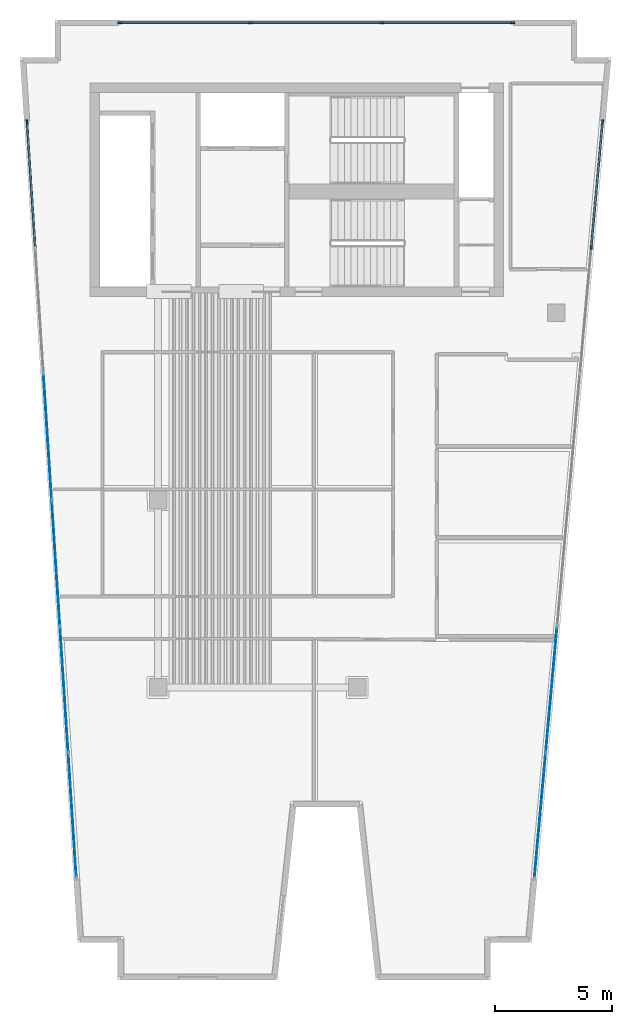
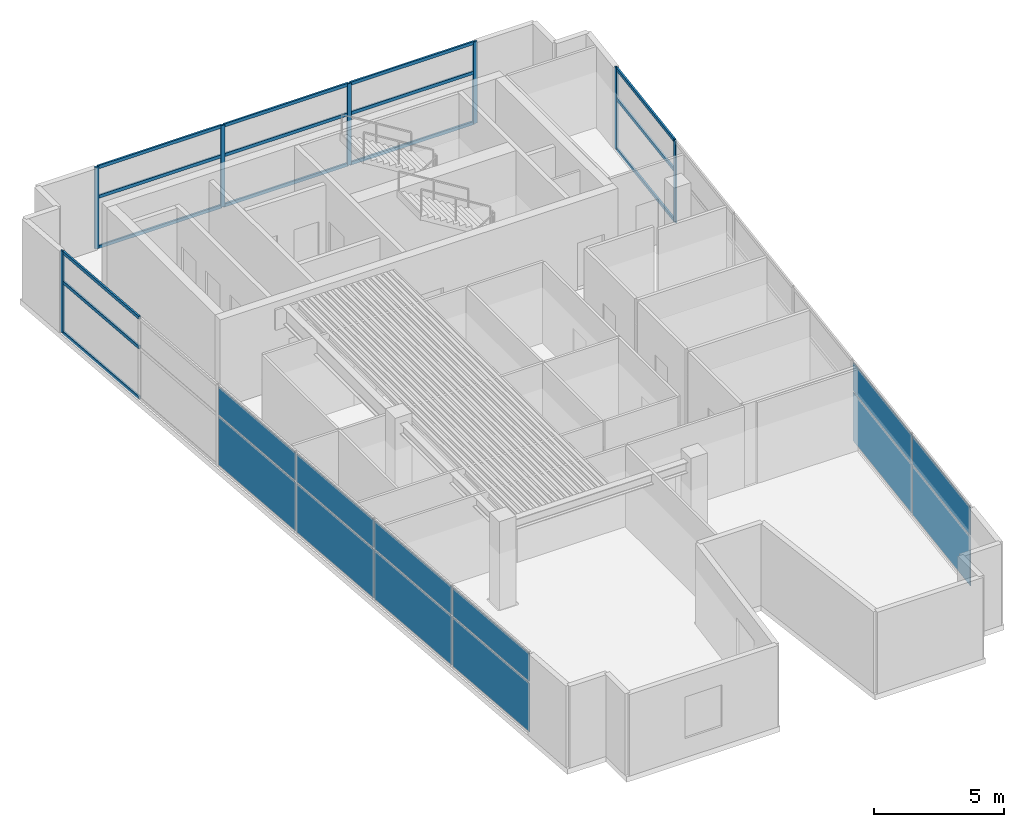
# One storey, part 2 of 7: 22 members, 12 plates, 3 elements without a shape of their own.
"""IFC4 building model written with IfcOpenShell, lengths in metres."""

from ifc_helpers import new_model, si_unit, direction, frame, origin, origin_2d, place, context, subcontext, project, spatial, rectangle, extrude, material, layer, layer_set, material_profile, profile_set, type_object, element, aggregate, save


model = new_model("IFC4")

# Units and contexts
model_context = context("Model", 3, precision=1e-05, world=origin(), true_north=direction((0.0, 1.0)))
body_context = subcontext(model_context, "Body", "Model", "MODEL_VIEW")
ifc_project = project(units=[si_unit("LENGTHUNIT", "METRE"), si_unit("AREAUNIT", "SQUARE_METRE"), si_unit("VOLUMEUNIT", "CUBIC_METRE"), si_unit("PLANEANGLEUNIT", "RADIAN"), si_unit("MASSUNIT", "GRAM", prefix="KILO")], contexts=[model_context])

# Site, building, storey
site_placement = place(None, origin())
site = spatial("IfcSite", under=ifc_project, at=site_placement, CompositionType="ELEMENT")
building_placement = place(site_placement, origin())
building = spatial("IfcBuilding", under=site, at=building_placement, Name="Caeloran Harvest Quay", CompositionType="ELEMENT")
storey_placement = place(building_placement, frame((0.0, 0.0, 319.89990234375)))
storey = spatial("IfcBuildingStorey", under=building, at=storey_placement, Name="L77", CompositionType="ELEMENT", Elevation=319.89990234375)

# Curtain wall, member
ifc_material_1 = material(Name="Aluminium 6063-T6 and Low-E Glazing", Category="aluminium")
ifc_layer_1 = layer(ifc_material_1, 0.239990234375, Name="Aluminium 6063-T6 and Low-E Glazing")
ifc_layer_set_1 = layer_set([ifc_layer_1], Name="Aluminium 6063-T6 and Low-E Glazing")
curtain_wall_type = type_object("IfcCurtainWallType", Name="CW-SYS-CW-7", PredefinedType="USERDEFINED", material=ifc_layer_set_1)
curtain_wall_1_placement = place(storey_placement, origin())
curtain_wall_1 = element("IfcCurtainWall", 1, at=curtain_wall_1_placement, inside=storey, type_object=curtain_wall_type, Name="L77 Unitised Curtain Wall CW-7 Run 3", ObjectType="CURTAIN_WALL", PredefinedType="USERDEFINED")
ifc_material_2 = material(Name="Aluminium 6063-T6", Category="aluminium")
ifc_material_profile_1 = material_profile(ifc_material_2, rectangle(XDim=0.080078125, YDim=0.179931640625, at=origin_2d()), Name="CW-MULLION-180")
ifc_profile_set_1 = profile_set([ifc_material_profile_1], Name="Aluminium 6063-T6")
member_type_1 = type_object("IfcMemberType", Name="CW-MULLION-180", PredefinedType="MULLION", material=ifc_profile_set_1)
member_1_placement = place(storey_placement, frame((2.904541015625, 39.1455078125, 0.0), z_axis=(0.0, 0.0, 1.0), x_axis=(-0.997874401106, -0.065166552901, 0.0)))
member_1 = element("IfcMember", 2, at=member_1_placement, type_object=member_type_1, Name="CW-7 mullion 7", PredefinedType="MULLION", context=body_context, shape_type="SweptSolid", body=[
    extrude(rectangle(XDim=0.080078125, YDim=0.179931640625, at=origin_2d()), origin(), (0.0, 0.0, 1.0), 3.830078125),
])

# Curtain wall, members
curtain_wall_2_placement = place(storey_placement, origin())
curtain_wall_2 = element("IfcCurtainWall", 3, at=curtain_wall_2_placement, inside=storey, type_object=curtain_wall_type, Name="L77 Unitised Curtain Wall CW-7 Run 6", ObjectType="CURTAIN_WALL", PredefinedType="USERDEFINED")
member_2_placement = place(storey_placement, frame((6.860107421875, 43.3798828125, 0.0), z_axis=(0.0, 0.0, 1.0), x_axis=(0.0, 1.0, 0.0)))
member_2 = element("IfcMember", 4, at=member_2_placement, type_object=member_type_1, Name="CW-7 mullion 1", PredefinedType="MULLION", context=body_context, shape_type="SweptSolid", body=[
    extrude(rectangle(XDim=0.080078125, YDim=0.179931640625, at=origin_2d()), origin(), (0.0, 0.0, 1.0), 3.830078125),
])
member_3_placement = place(storey_placement, frame((12.43994140625, 43.3798828125, 0.0), z_axis=(0.0, 0.0, 1.0), x_axis=(0.0, 1.0, 0.0)))
member_3 = element("IfcMember", 5, at=member_3_placement, type_object=member_type_1, Name="CW-7 mullion 2", PredefinedType="MULLION", context=body_context, shape_type="SweptSolid", body=[
    extrude(rectangle(XDim=0.080078125, YDim=0.179931640625, at=origin_2d()), origin(), (0.0, 0.0, 1.0), 3.830078125),
])
member_4_placement = place(storey_placement, frame((18.06005859375, 43.3798828125, 0.0), z_axis=(0.0, 0.0, 1.0), x_axis=(0.0, 1.0, 0.0)))
member_4 = element("IfcMember", 6, at=member_4_placement, type_object=member_type_1, Name="CW-7 mullion 3", PredefinedType="MULLION", context=body_context, shape_type="SweptSolid", body=[
    extrude(rectangle(XDim=0.080078125, YDim=0.179931640625, at=origin_2d()), origin(), (0.0, 0.0, 1.0), 3.830078125),
])
member_5_placement = place(storey_placement, frame((23.639892578125, 43.3798828125, 0.0), z_axis=(0.0, 0.0, 1.0), x_axis=(0.0, 1.0, 0.0)))
member_5 = element("IfcMember", 7, at=member_5_placement, type_object=member_type_1, Name="CW-7 mullion 4", PredefinedType="MULLION", context=body_context, shape_type="SweptSolid", body=[
    extrude(rectangle(XDim=0.080078125, YDim=0.179931640625, at=origin_2d()), origin(), (0.0, 0.0, 1.0), 3.830078125),
])

curtain_wall_3_placement = place(storey_placement, origin())
curtain_wall_3 = element("IfcCurtainWall", 8, at=curtain_wall_3_placement, inside=storey, type_object=curtain_wall_type, Name="L77 Unitised Curtain Wall CW-7 Run 9", ObjectType="CURTAIN_WALL", PredefinedType="USERDEFINED")
member_6_placement = place(storey_placement, frame((27.4873046875, 39.150634765625, 0.0), z_axis=(0.0, 0.0, 1.0), x_axis=(0.995957918918, -0.089821065146, 0.0)))
member_6 = element("IfcMember", 9, at=member_6_placement, type_object=member_type_1, Name="CW-7 mullion 1", PredefinedType="MULLION", context=body_context, shape_type="SweptSolid", body=[
    extrude(rectangle(XDim=0.080078125, YDim=0.179931640625, at=origin_2d()), origin(), (0.0, 0.0, 1.0), 3.830078125),
])
member_7_placement = place(storey_placement, frame((27.004150390625, 33.793701171875, 0.0), z_axis=(0.0, 0.0, 1.0), x_axis=(0.995957918918, -0.089821065146, 0.0)))
member_7 = element("IfcMember", 10, at=member_7_placement, type_object=member_type_1, Name="CW-7 mullion 2", PredefinedType="MULLION", context=body_context, shape_type="SweptSolid", body=[
    extrude(rectangle(XDim=0.080078125, YDim=0.179931640625, at=origin_2d()), origin(), (0.0, 0.0, 1.0), 3.830078125),
])

# Member
ifc_material_profile_2 = material_profile(ifc_material_2, rectangle(XDim=0.080078125, YDim=0.14990234375, at=origin_2d()), Name="CW-TRANSOM-150")
ifc_profile_set_2 = profile_set([ifc_material_profile_2], Name="Aluminium 6063-T6")
member_type_2 = type_object("IfcMemberType", Name="CW-TRANSOM-150", PredefinedType="USERDEFINED", material=ifc_profile_set_2)
member_8_placement = place(storey_placement, frame((3.251708984375, 33.830322265625, 0.0400390625), z_axis=(-0.065161110765, 0.997874756492, 0.0), x_axis=(-0.997874756492, -0.065161110765, 0.0)))
member_8 = element("IfcMember", 11, at=member_8_placement, type_object=member_type_2, Name="CW-7 transom 6.1", ObjectType="TRANSOM", PredefinedType="USERDEFINED", context=body_context, shape_type="SweptSolid", body=[
    extrude(rectangle(XDim=0.080078125, YDim=0.14990234375, at=origin_2d()), origin(), (0.0, 0.0, 1.0), 5.28662109375),
])

member_9_placement = place(storey_placement, frame((3.251708984375, 33.830322265625, 2.400146484375), z_axis=(-0.065161110765, 0.997874756492, 0.0), x_axis=(-0.997874756492, -0.065161110765, 0.0)))
member_9 = element("IfcMember", 12, at=member_9_placement, type_object=member_type_2, Name="CW-7 transom 6.2", ObjectType="TRANSOM", PredefinedType="USERDEFINED", context=body_context, shape_type="SweptSolid", body=[
    extrude(rectangle(XDim=0.080078125, YDim=0.14990234375, at=origin_2d()), origin(), (0.0, 0.0, 1.0), 5.28662109375),
])

member_10_placement = place(storey_placement, frame((3.251708984375, 33.830322265625, 3.7900390625), z_axis=(-0.065161110765, 0.997874756492, 0.0), x_axis=(-0.997874756492, -0.065161110765, 0.0)))
member_10 = element("IfcMember", 13, at=member_10_placement, type_object=member_type_2, Name="CW-7 transom 6.3", ObjectType="TRANSOM", PredefinedType="USERDEFINED", context=body_context, shape_type="SweptSolid", body=[
    extrude(rectangle(XDim=0.080078125, YDim=0.14990234375, at=origin_2d()), origin(), (0.0, 0.0, 1.0), 5.28662109375),
])

member_11_placement = place(storey_placement, frame((6.89990234375, 43.3798828125, 0.0400390625), z_axis=(1.0, 0.0, 0.0), x_axis=(0.0, 1.0, 0.0)))
member_11 = element("IfcMember", 14, at=member_11_placement, type_object=member_type_2, Name="CW-7 transom 1.1", ObjectType="TRANSOM", PredefinedType="USERDEFINED", context=body_context, shape_type="SweptSolid", body=[
    extrude(rectangle(XDim=0.080078125, YDim=0.14990234375, at=origin_2d()), origin(), (0.0, 0.0, 1.0), 5.5),
])

member_12_placement = place(storey_placement, frame((6.89990234375, 43.3798828125, 2.400146484375), z_axis=(1.0, 0.0, 0.0), x_axis=(0.0, 1.0, 0.0)))
member_12 = element("IfcMember", 15, at=member_12_placement, type_object=member_type_2, Name="CW-7 transom 1.2", ObjectType="TRANSOM", PredefinedType="USERDEFINED", context=body_context, shape_type="SweptSolid", body=[
    extrude(rectangle(XDim=0.080078125, YDim=0.14990234375, at=origin_2d()), origin(), (0.0, 0.0, 1.0), 5.5),
])

member_13_placement = place(storey_placement, frame((6.89990234375, 43.3798828125, 3.7900390625), z_axis=(1.0, 0.0, 0.0), x_axis=(0.0, 1.0, 0.0)))
member_13 = element("IfcMember", 16, at=member_13_placement, type_object=member_type_2, Name="CW-7 transom 1.3", ObjectType="TRANSOM", PredefinedType="USERDEFINED", context=body_context, shape_type="SweptSolid", body=[
    extrude(rectangle(XDim=0.080078125, YDim=0.14990234375, at=origin_2d()), origin(), (0.0, 0.0, 1.0), 5.5),
])

member_14_placement = place(storey_placement, frame((12.47998046875, 43.3798828125, 0.0400390625), z_axis=(1.0, 0.0, 0.0), x_axis=(0.0, 1.0, 0.0)))
member_14 = element("IfcMember", 17, at=member_14_placement, type_object=member_type_2, Name="CW-7 transom 2.1", ObjectType="TRANSOM", PredefinedType="USERDEFINED", context=body_context, shape_type="SweptSolid", body=[
    extrude(rectangle(XDim=0.080078125, YDim=0.14990234375, at=origin_2d()), origin(), (0.0, 0.0, 1.0), 5.5400390625),
])

member_15_placement = place(storey_placement, frame((12.47998046875, 43.3798828125, 2.400146484375), z_axis=(1.0, 0.0, 0.0), x_axis=(0.0, 1.0, 0.0)))
member_15 = element("IfcMember", 18, at=member_15_placement, type_object=member_type_2, Name="CW-7 transom 2.2", ObjectType="TRANSOM", PredefinedType="USERDEFINED", context=body_context, shape_type="SweptSolid", body=[
    extrude(rectangle(XDim=0.080078125, YDim=0.14990234375, at=origin_2d()), origin(), (0.0, 0.0, 1.0), 5.5400390625),
])

member_16_placement = place(storey_placement, frame((12.47998046875, 43.3798828125, 3.7900390625), z_axis=(1.0, 0.0, 0.0), x_axis=(0.0, 1.0, 0.0)))
member_16 = element("IfcMember", 19, at=member_16_placement, type_object=member_type_2, Name="CW-7 transom 2.3", ObjectType="TRANSOM", PredefinedType="USERDEFINED", context=body_context, shape_type="SweptSolid", body=[
    extrude(rectangle(XDim=0.080078125, YDim=0.14990234375, at=origin_2d()), origin(), (0.0, 0.0, 1.0), 5.5400390625),
])

member_17_placement = place(storey_placement, frame((18.10009765625, 43.3798828125, 0.0400390625), z_axis=(1.0, 0.0, 0.0), x_axis=(0.0, 1.0, 0.0)))
member_17 = element("IfcMember", 20, at=member_17_placement, type_object=member_type_2, Name="CW-7 transom 3.1", ObjectType="TRANSOM", PredefinedType="USERDEFINED", context=body_context, shape_type="SweptSolid", body=[
    extrude(rectangle(XDim=0.080078125, YDim=0.14990234375, at=origin_2d()), origin(), (0.0, 0.0, 1.0), 5.5),
])

member_18_placement = place(storey_placement, frame((18.10009765625, 43.3798828125, 2.400146484375), z_axis=(1.0, 0.0, 0.0), x_axis=(0.0, 1.0, 0.0)))
member_18 = element("IfcMember", 21, at=member_18_placement, type_object=member_type_2, Name="CW-7 transom 3.2", ObjectType="TRANSOM", PredefinedType="USERDEFINED", context=body_context, shape_type="SweptSolid", body=[
    extrude(rectangle(XDim=0.080078125, YDim=0.14990234375, at=origin_2d()), origin(), (0.0, 0.0, 1.0), 5.5),
])

member_19_placement = place(storey_placement, frame((18.10009765625, 43.3798828125, 3.7900390625), z_axis=(1.0, 0.0, 0.0), x_axis=(0.0, 1.0, 0.0)))
member_19 = element("IfcMember", 22, at=member_19_placement, type_object=member_type_2, Name="CW-7 transom 3.3", ObjectType="TRANSOM", PredefinedType="USERDEFINED", context=body_context, shape_type="SweptSolid", body=[
    extrude(rectangle(XDim=0.080078125, YDim=0.14990234375, at=origin_2d()), origin(), (0.0, 0.0, 1.0), 5.5),
])

aggregate(curtain_wall_2, [member_2, member_3, member_4, member_5, member_11, member_12, member_13, member_14, member_15, member_16, member_17, member_18, member_19])

member_20_placement = place(storey_placement, frame((27.483642578125, 39.11083984375, 0.0400390625), z_axis=(-0.089800407778, -0.995959781699, 0.0), x_axis=(0.995959781699, -0.089800407778, 0.0)))
member_20 = element("IfcMember", 23, at=member_20_placement, type_object=member_type_2, Name="CW-7 transom 1.1", ObjectType="TRANSOM", PredefinedType="USERDEFINED", context=body_context, shape_type="SweptSolid", body=[
    extrude(rectangle(XDim=0.080078125, YDim=0.14990234375, at=origin_2d()), origin(), (0.0, 0.0, 1.0), 5.298828125),
])

member_21_placement = place(storey_placement, frame((27.483642578125, 39.11083984375, 2.400146484375), z_axis=(-0.089800407778, -0.995959781699, 0.0), x_axis=(0.995959781699, -0.089800407778, 0.0)))
member_21 = element("IfcMember", 24, at=member_21_placement, type_object=member_type_2, Name="CW-7 transom 1.2", ObjectType="TRANSOM", PredefinedType="USERDEFINED", context=body_context, shape_type="SweptSolid", body=[
    extrude(rectangle(XDim=0.080078125, YDim=0.14990234375, at=origin_2d()), origin(), (0.0, 0.0, 1.0), 5.298828125),
])

member_22_placement = place(storey_placement, frame((27.483642578125, 39.11083984375, 3.7900390625), z_axis=(-0.089800407778, -0.995959781699, 0.0), x_axis=(0.995959781699, -0.089800407778, 0.0)))
member_22 = element("IfcMember", 25, at=member_22_placement, type_object=member_type_2, Name="CW-7 transom 1.3", ObjectType="TRANSOM", PredefinedType="USERDEFINED", context=body_context, shape_type="SweptSolid", body=[
    extrude(rectangle(XDim=0.080078125, YDim=0.14990234375, at=origin_2d()), origin(), (0.0, 0.0, 1.0), 5.298828125),
])

# Plate
ifc_material_3 = material(Name="Low-E Double Glazed Vision Glass Unit", Category="glass")
ifc_layer_2 = layer(ifc_material_3, 0.035888671875, Name="Low-E Double Glazed Vision Glass Unit")
ifc_layer_set_2 = layer_set([ifc_layer_2], Name="Low-E Double Glazed Vision Glass Unit")
plate_type = type_object("IfcPlateType", Name="CW-VISION-PANEL", PredefinedType="CURTAIN_PANEL", material=ifc_layer_set_2)
plate_1_placement = place(storey_placement, frame((4.838623046875, 9.531982421875, 0.080078125), z_axis=(0.0, 0.0, 1.0), x_axis=(-0.065166552901, 0.997874401106, 0.0)))
plate_1 = element("IfcPlate", 26, at=plate_1_placement, type_object=plate_type, Name="CW-7 panel 1.1", PredefinedType="CURTAIN_PANEL", context=body_context, shape_type="SweptSolid", body=[
    extrude(rectangle(XDim=5.28662109375, YDim=0.035888671875, at=origin_2d()), origin(), (0.0, 0.0, 1.0), 2.280029296875),
])

plate_2_placement = place(storey_placement, frame((4.838623046875, 9.531982421875, 2.440185546875), z_axis=(0.0, 0.0, 1.0), x_axis=(-0.065166552901, 0.997874401106, 0.0)))
plate_2 = element("IfcPlate", 27, at=plate_2_placement, type_object=plate_type, Name="CW-7 panel 1.2", PredefinedType="CURTAIN_PANEL", context=body_context, shape_type="SweptSolid", body=[
    extrude(rectangle(XDim=5.28662109375, YDim=0.035888671875, at=origin_2d()), origin(), (0.0, 0.0, 1.0), 1.31005859375),
])

plate_3_placement = place(storey_placement, frame((4.487548828125, 14.9072265625, 0.080078125), z_axis=(0.0, 0.0, 1.0), x_axis=(-0.065166552901, 0.997874401106, 0.0)))
plate_3 = element("IfcPlate", 28, at=plate_3_placement, type_object=plate_type, Name="CW-7 panel 2.1", PredefinedType="CURTAIN_PANEL", context=body_context, shape_type="SweptSolid", body=[
    extrude(rectangle(XDim=5.32666015625, YDim=0.035888671875, at=origin_2d()), origin(), (0.0, 0.0, 1.0), 2.280029296875),
])

plate_4_placement = place(storey_placement, frame((4.487548828125, 14.9072265625, 2.440185546875), z_axis=(0.0, 0.0, 1.0), x_axis=(-0.065166552901, 0.997874401106, 0.0)))
plate_4 = element("IfcPlate", 29, at=plate_4_placement, type_object=plate_type, Name="CW-7 panel 2.2", PredefinedType="CURTAIN_PANEL", context=body_context, shape_type="SweptSolid", body=[
    extrude(rectangle(XDim=5.32666015625, YDim=0.035888671875, at=origin_2d()), origin(), (0.0, 0.0, 1.0), 1.31005859375),
])

plate_5_placement = place(storey_placement, frame((4.13525390625, 20.302490234375, 0.080078125), z_axis=(0.0, 0.0, 1.0), x_axis=(-0.065166552901, 0.997874401106, 0.0)))
plate_5 = element("IfcPlate", 30, at=plate_5_placement, type_object=plate_type, Name="CW-7 panel 3.1", PredefinedType="CURTAIN_PANEL", context=body_context, shape_type="SweptSolid", body=[
    extrude(rectangle(XDim=5.32666015625, YDim=0.035888671875, at=origin_2d()), origin(), (0.0, 0.0, 1.0), 2.280029296875),
])

plate_6_placement = place(storey_placement, frame((4.13525390625, 20.302490234375, 2.440185546875), z_axis=(0.0, 0.0, 1.0), x_axis=(-0.065166552901, 0.997874401106, 0.0)))
plate_6 = element("IfcPlate", 31, at=plate_6_placement, type_object=plate_type, Name="CW-7 panel 3.2", PredefinedType="CURTAIN_PANEL", context=body_context, shape_type="SweptSolid", body=[
    extrude(rectangle(XDim=5.32666015625, YDim=0.035888671875, at=origin_2d()), origin(), (0.0, 0.0, 1.0), 1.31005859375),
])

plate_7_placement = place(storey_placement, frame((3.78271484375, 25.697509765625, 0.080078125), z_axis=(0.0, 0.0, 1.0), x_axis=(-0.065166552901, 0.997874401106, 0.0)))
plate_7 = element("IfcPlate", 32, at=plate_7_placement, type_object=plate_type, Name="CW-7 panel 4.1", PredefinedType="CURTAIN_PANEL", context=body_context, shape_type="SweptSolid", body=[
    extrude(rectangle(XDim=5.32666015625, YDim=0.035888671875, at=origin_2d()), origin(), (0.0, 0.0, 1.0), 2.280029296875),
])

plate_8_placement = place(storey_placement, frame((3.78271484375, 25.697509765625, 2.440185546875), z_axis=(0.0, 0.0, 1.0), x_axis=(-0.065166552901, 0.997874401106, 0.0)))
plate_8 = element("IfcPlate", 33, at=plate_8_placement, type_object=plate_type, Name="CW-7 panel 4.2", PredefinedType="CURTAIN_PANEL", context=body_context, shape_type="SweptSolid", body=[
    extrude(rectangle(XDim=5.32666015625, YDim=0.035888671875, at=origin_2d()), origin(), (0.0, 0.0, 1.0), 1.31005859375),
])

aggregate(curtain_wall_1, [member_1, plate_1, plate_2, plate_3, plate_4, plate_5, plate_6, plate_7, plate_8, member_8, member_9, member_10])

plate_9_placement = place(storey_placement, frame((25.30078125, 14.90478515625, 0.080078125), z_axis=(0.0, 0.0, 1.0), x_axis=(-0.089821065146, -0.995957918918, 0.0)))
plate_9 = element("IfcPlate", 34, at=plate_9_placement, type_object=plate_type, Name="CW-7 panel 5.1", PredefinedType="CURTAIN_PANEL", context=body_context, shape_type="SweptSolid", body=[
    extrude(rectangle(XDim=5.338623046875, YDim=0.035888671875, at=origin_2d()), origin(), (0.0, 0.0, 1.0), 2.280029296875),
])

plate_10_placement = place(storey_placement, frame((25.30078125, 14.90478515625, 2.440185546875), z_axis=(0.0, 0.0, 1.0), x_axis=(-0.089821065146, -0.995957918918, 0.0)))
plate_10 = element("IfcPlate", 35, at=plate_10_placement, type_object=plate_type, Name="CW-7 panel 5.2", PredefinedType="CURTAIN_PANEL", context=body_context, shape_type="SweptSolid", body=[
    extrude(rectangle(XDim=5.338623046875, YDim=0.035888671875, at=origin_2d()), origin(), (0.0, 0.0, 1.0), 1.31005859375),
])

plate_11_placement = place(storey_placement, frame((24.815673828125, 9.52783203125, 0.080078125), z_axis=(0.0, 0.0, 1.0), x_axis=(-0.089821065146, -0.995957918918, 0.0)))
plate_11 = element("IfcPlate", 36, at=plate_11_placement, type_object=plate_type, Name="CW-7 panel 6.1", PredefinedType="CURTAIN_PANEL", context=body_context, shape_type="SweptSolid", body=[
    extrude(rectangle(XDim=5.298828125, YDim=0.035888671875, at=origin_2d()), origin(), (0.0, 0.0, 1.0), 2.280029296875),
])

plate_12_placement = place(storey_placement, frame((24.815673828125, 9.52783203125, 2.440185546875), z_axis=(0.0, 0.0, 1.0), x_axis=(-0.089821065146, -0.995957918918, 0.0)))
plate_12 = element("IfcPlate", 37, at=plate_12_placement, type_object=plate_type, Name="CW-7 panel 6.2", PredefinedType="CURTAIN_PANEL", context=body_context, shape_type="SweptSolid", body=[
    extrude(rectangle(XDim=5.298828125, YDim=0.035888671875, at=origin_2d()), origin(), (0.0, 0.0, 1.0), 1.31005859375),
])

aggregate(curtain_wall_3, [member_6, member_7, member_20, member_21, member_22, plate_9, plate_10, plate_11, plate_12])

save(model, "model.ifc")
